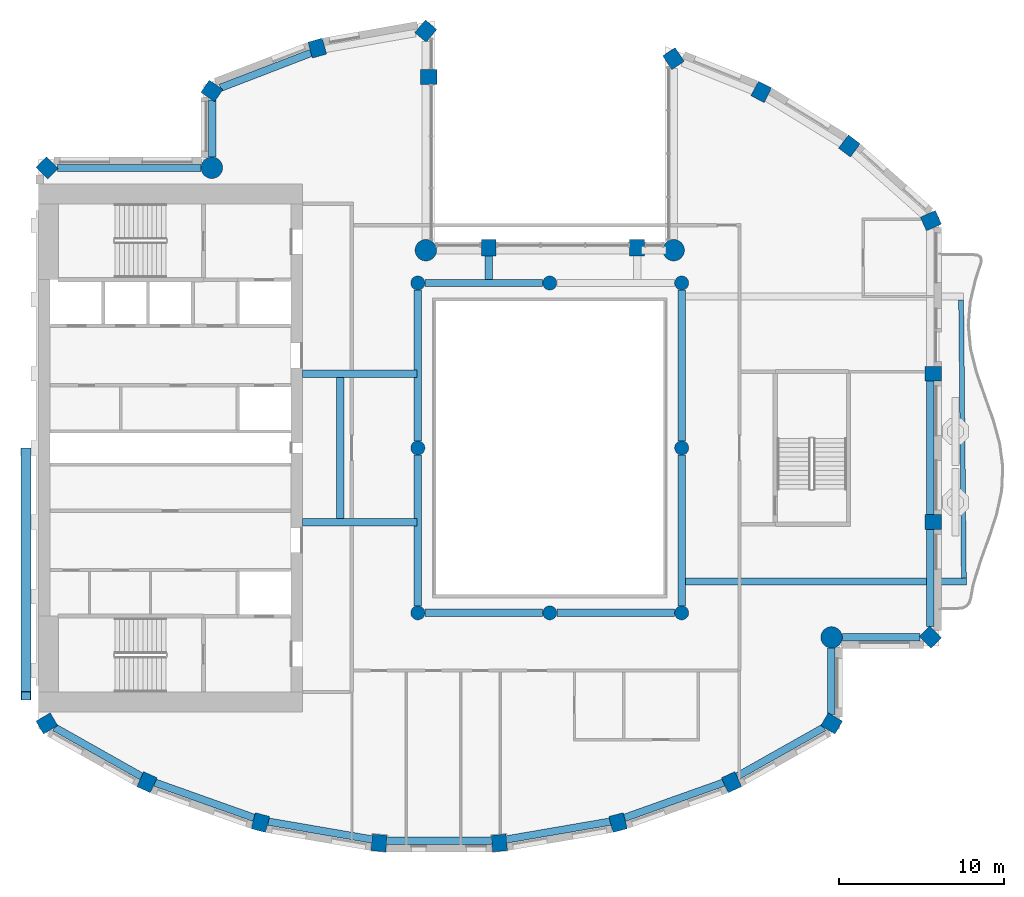
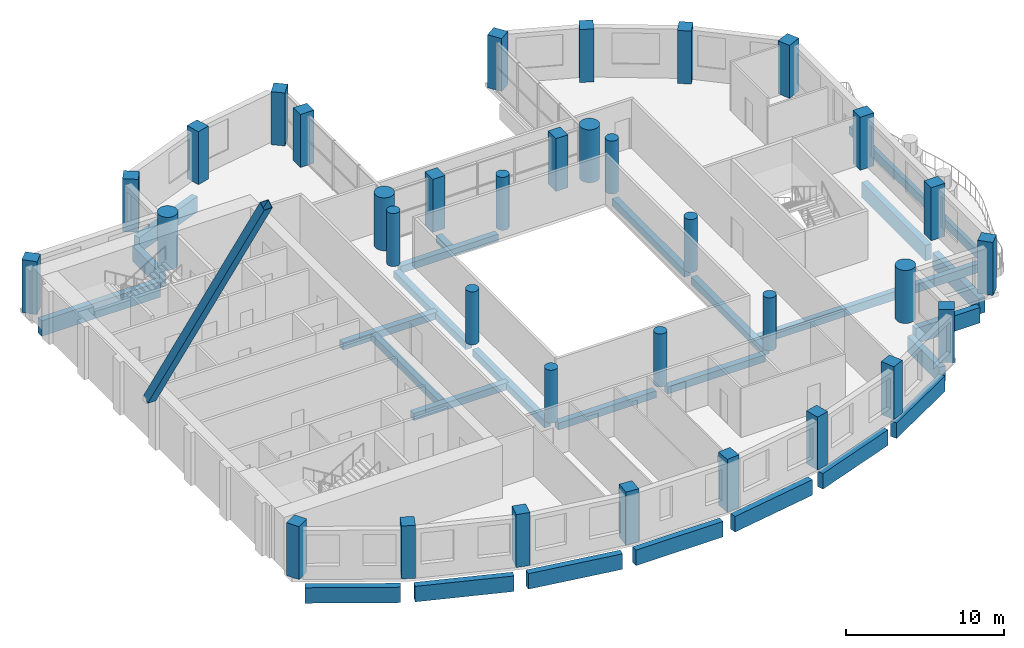
# One storey, part 1 of 15: 34 columns, 27 beams, 1 member.
"""IFC4 building model written with IfcOpenShell, lengths in metres."""

import ifcopenshell
import ifcopenshell.guid

model = None  # the IFC model being written
_history = None  # IfcOwnerHistory: only IFC2X3 demands one
_inside = {}  # id of a spatial element -> (the spatial element, [elements in it])
_under = {}  # id of a project, library or spatial element -> (it, [spatial elements below it])
_declared = {}  # id of a project -> (the project, [libraries it declares])
_typed = {}  # id of a type object -> (the type object, [elements of that type])
_made_of = {}  # id of a material, layer set ... -> (it, [elements and type objects made of it])


def new_model(schema):
    """Start an empty IFC model of exactly this schema.

    Asked for "IFC4X3", IfcOpenShell would pick the latest addendum, in which some entities
    have other attributes; the version numbers below select the first issue.
    IFC2X3 requires an IfcOwnerHistory on every rooted entity: one is made here for all.
    """
    global model, _history
    if schema == "IFC4X3":
        model = ifcopenshell.file(schema_version=(4, 3, 0, 0))
    else:
        model = ifcopenshell.file(schema=schema)
    _inside.clear()
    _under.clear()
    _declared.clear()
    _typed.clear()
    _made_of.clear()
    _history = None
    if model.schema == "IFC2X3":
        org = make("IfcOrganization", Name="unknown")
        user = make(
            "IfcPersonAndOrganization",
            ThePerson=make("IfcPerson", FamilyName="unknown"),
            TheOrganization=org,
        )
        app = make(
            "IfcApplication",
            ApplicationDeveloper=org,
            Version="unknown",
            ApplicationFullName="unknown",
            ApplicationIdentifier="unknown",
        )
        _history = make(
            "IfcOwnerHistory",
            OwningUser=user,
            OwningApplication=app,
            ChangeAction="ADDED",
            CreationDate=0,
        )
    return model


def make(cls, **values):
    """One entity of the class cls with the attributes given. An attribute that is None is left unset."""
    return model.create_entity(
        cls, **{name: value for name, value in values.items() if value is not None}
    )


def rooted(cls, **values):
    """An entity with a GlobalId (a new one), such as an element, a storey or a relation."""
    return make(cls, GlobalId=ifcopenshell.guid.new(), OwnerHistory=_history, **values)


def si_unit(unit_type, name, prefix=None):
    """IfcSIUnit, for example si_unit("LENGTHUNIT", "METRE", prefix="MILLI")."""
    return make("IfcSIUnit", UnitType=unit_type, Prefix=prefix, Name=name)


def assignment(units):
    """IfcUnitAssignment: the units of a project."""
    return None if units is None else make("IfcUnitAssignment", Units=units)


def point(xyz):
    """IfcCartesianPoint."""
    return None if xyz is None else make("IfcCartesianPoint", Coordinates=xyz)


def direction(xyz):
    """IfcDirection."""
    return None if xyz is None else make("IfcDirection", DirectionRatios=xyz)


def frame(location, z_axis=None, x_axis=None):
    """IfcAxis2Placement3D, a coordinate frame: its origin and axes. An axis left out is left unset."""
    return make(
        "IfcAxis2Placement3D",
        Location=point(location),
        Axis=direction(z_axis),
        RefDirection=direction(x_axis),
    )


def frame_2d(location, x_axis=None):
    """IfcAxis2Placement2D, a coordinate frame in the plane: its origin and x axis."""
    return make(
        "IfcAxis2Placement2D", Location=point(location), RefDirection=direction(x_axis)
    )


def origin():
    """The frame at (0, 0, 0) with its axes left unset."""
    return frame((0.0, 0.0, 0.0))


def origin_2d():
    """The frame at (0, 0) in the plane with its x axis left unset."""
    return frame_2d((0.0, 0.0))


def place(relative_to, where):
    """IfcLocalPlacement: puts the frame where relative to a parent placement (None: the world)."""
    return make(
        "IfcLocalPlacement", PlacementRelTo=relative_to, RelativePlacement=where
    )


def context(
    kind, dimensions, precision=None, world=None, true_north=None, identifier=None
):
    """IfcGeometricRepresentationContext, for example the 3D "Model" context."""
    return make(
        "IfcGeometricRepresentationContext",
        ContextIdentifier=identifier,
        ContextType=kind,
        CoordinateSpaceDimension=dimensions,
        Precision=precision,
        WorldCoordinateSystem=world,
        TrueNorth=true_north,
    )


def subcontext(parent, identifier, kind, view, scale=None):
    """IfcGeometricRepresentationSubContext, for example "Body" below "Model"."""
    return make(
        "IfcGeometricRepresentationSubContext",
        ContextIdentifier=identifier,
        ContextType=kind,
        ParentContext=parent,
        TargetScale=scale,
        TargetView=view,
    )


def project(units=None, contexts=None):
    """IfcProject with its units and contexts."""
    return rooted(
        "IfcProject",
        Name="project",
        RepresentationContexts=contexts,
        UnitsInContext=assignment(units),
    )


def spatial(cls, under=None, at=None, **own):
    """A site, building, storey or space (cls), placed at a placement, below another one or the project."""
    s = rooted(cls, ObjectPlacement=at, **own)
    if under is not None:
        _under.setdefault(under.id(), (under, []))[1].append(s)
    return s


def profile(cls, at=None, kind="AREA", **sizes):
    """A parametric profile (cls). Its sizes go by their IFC names, for example OverallWidth=200.0."""
    return make(cls, ProfileType=kind, Position=at, **sizes)


def rectangle(**sizes):
    """IfcRectangleProfileDef."""
    return profile("IfcRectangleProfileDef", **sizes)


def hollow_rectangle(**sizes):
    """IfcRectangleHollowProfileDef."""
    return profile("IfcRectangleHollowProfileDef", **sizes)


def circle(**sizes):
    """IfcCircleProfileDef."""
    return profile("IfcCircleProfileDef", **sizes)


def extrude(swept, where, along, depth):
    """IfcExtrudedAreaSolid: the profile swept, set in the frame where, extruded along a direction by depth."""
    return make(
        "IfcExtrudedAreaSolid",
        SweptArea=swept,
        Position=where,
        ExtrudedDirection=direction(along),
        Depth=depth,
    )


def shape(context_of_items, identifier, shape_type, items):
    """IfcShapeRepresentation: the items that make up one representation, for example the "Body"."""
    return make(
        "IfcShapeRepresentation",
        ContextOfItems=context_of_items,
        RepresentationIdentifier=identifier,
        RepresentationType=shape_type,
        Items=items,
    )


def material(Name=None, Category=None):
    """IfcMaterial."""
    return make("IfcMaterial", Name=Name, Category=Category)


def material_profile(
    of_material, cross_section, Name=None, Category=None, Priority=None
):
    """IfcMaterialProfile: a cross section and its material."""
    return make(
        "IfcMaterialProfile",
        Name=Name,
        Material=of_material,
        Profile=cross_section,
        Priority=Priority,
        Category=Category,
    )


def profile_set(profiles, Name=None, composite=None):
    """IfcMaterialProfileSet."""
    return make(
        "IfcMaterialProfileSet",
        Name=Name,
        MaterialProfiles=profiles,
        CompositeProfile=composite,
    )


def made_of(thing, what):
    """Note that an element or type object is made of a material, layer set ...; save() writes the relation."""
    if what is not None:
        _made_of.setdefault(what.id(), (what, []))[1].append(thing)
    return thing


def type_object(cls, material=None, **own):
    """A type object (cls), such as IfcWallType, which elements share."""
    return made_of(rooted(cls, **own), material)


def element(
    cls,
    number,
    at=None,
    inside=None,
    cuts=None,
    type_object=None,
    material=None,
    context=None,
    identifier="Body",
    shape_type=None,
    held_by="IfcProductDefinitionShape",
    body=None,
    shapes=None,
    **own,
):
    """One element of the class cls, such as IfcWall. Its Tag is "e" and its number.

    at: its placement. inside: the storey or other place that contains it. cuts: it is an
    opening in that element (IfcRelVoidsElement). A single representation is given by context,
    identifier, shape_type and body (its items); several are given by shapes. held_by: the class
    of the entity that holds the representations. save() writes the other relations.
    """
    e = rooted(cls, Tag="e%d" % number, ObjectPlacement=at, **own)
    if body is not None:
        shapes = [shape(context, identifier, shape_type, body)]
    if shapes is not None:
        e.Representation = make(held_by, Representations=shapes)
    if inside is not None:
        _inside.setdefault(inside.id(), (inside, []))[1].append(e)
    if cuts is not None:
        rooted(
            "IfcRelVoidsElement", RelatingBuildingElement=cuts, RelatedOpeningElement=e
        )
    if type_object is not None:
        _typed.setdefault(type_object.id(), (type_object, []))[1].append(e)
    return made_of(e, material)


def aggregate(whole, parts):
    """IfcRelAggregates: a whole, such as a stair, and the parts it consists of."""
    return rooted("IfcRelAggregates", RelatingObject=whole, RelatedObjects=parts)


def save(model, path):
    """Write the relations noted so far, then the file.

    IfcRelAggregates (storeys below a building ...), IfcRelContainedInSpatialStructure (elements
    in a storey), IfcRelDefinesByType, IfcRelAssociatesMaterial and IfcRelDeclares: one each for
    every whole, place, type object, material and project.
    """
    for whole, parts in _under.values():
        aggregate(whole, parts)
    for where, things in _inside.values():
        rooted(
            "IfcRelContainedInSpatialStructure",
            RelatedElements=things,
            RelatingStructure=where,
        )
    for kind, things in _typed.values():
        rooted("IfcRelDefinesByType", RelatedObjects=things, RelatingType=kind)
    for what, things in _made_of.values():
        rooted("IfcRelAssociatesMaterial", RelatedObjects=things, RelatingMaterial=what)
    for by, libraries in _declared.values():
        rooted("IfcRelDeclares", RelatingContext=by, RelatedDefinitions=libraries)
    model.write(path)


model = new_model("IFC4")

# Units and contexts
model_context = context("Model", 3, precision=1e-05, world=origin(), true_north=direction((0.0, 1.0)))
body_context = subcontext(model_context, "Body", "Model", "MODEL_VIEW")
ifc_project = project(units=[si_unit("LENGTHUNIT", "METRE"), si_unit("AREAUNIT", "SQUARE_METRE"), si_unit("VOLUMEUNIT", "CUBIC_METRE"), si_unit("PLANEANGLEUNIT", "RADIAN"), si_unit("MASSUNIT", "GRAM", prefix="KILO")], contexts=[model_context])

# Site, building, storey
site_placement = place(None, origin())
site = spatial("IfcSite", under=ifc_project, at=site_placement, CompositionType="ELEMENT")
building_placement = place(site_placement, origin())
building = spatial("IfcBuilding", under=site, at=building_placement, Name="Cypress Arch Tower", CompositionType="ELEMENT")
storey_placement = place(building_placement, frame((0.0, 0.0, 259.800048828125)))
storey = spatial("IfcBuildingStorey", under=building, at=storey_placement, Name="L58", CompositionType="ELEMENT", Elevation=259.800048828125)

# Columns
ifc_material_1 = material(Name="Concrete C60/75", Category="concrete")
ifc_material_profile_1 = material_profile(ifc_material_1, rectangle(XDim=0.89990234375, YDim=1.0, at=origin_2d()), Name="RC 900x1000")
ifc_profile_set_1 = profile_set([ifc_material_profile_1], Name="Concrete C60/75")
column_type_1 = type_object("IfcColumnType", Name="Column RC 900x1000 Concrete C60/75", PredefinedType="COLUMN", material=ifc_profile_set_1)
for number, where, z_axis, x_axis, name in (
    (1, (8.5029296875, 23.606201171875, 0.0), (0.0, 0.0, 1.0), (-0.828469606019, -0.560034027451, 0.0), "Column L58 CC00"),
    (2, (6.300048828125, 12.14990234375, 0.0), (0.0, 0.0, 1.0), (-1.0, 0.0, 0.0), "Column L58 CC02"),
    (3, (-2.699951171875, 12.14990234375, 0.0), (0.0, 0.0, 1.0), (-1.0, 0.0, 0.0), "Column L58 CC03"),
    (4, (-6.35009765625, 22.5, 0.0), (0.0, 0.0, 1.0), (0.0, 1.0, 0.0), "Column L58 CC05"),
    (5, (-6.51611328125, 25.27490234375, 0.0), (0.0, 0.0, 1.0), (-0.766063514674, 0.642764880407, 0.0), "Column L58 CC06"),
    (6, (-13.0947265625, 24.241455078125, 0.0), (0.0, 0.0, 1.0), (-0.96345574646, -0.267867550506, 0.0), "Column L58 CC07"),
    (7, (-19.483154296875, 21.645263671875, 0.0), (0.0, 0.0, 1.0), (-0.565892599589, -0.824478966215, 0.0), "Column L58 CC08"),
    (8, (-29.478271484375, 16.978271484375, 0.0), (0.0, 0.0, 1.0), (-0.707106781187, -0.707106781187, 0.0), "Column L58 CC10"),
    (9, (-29.4912109375, -16.702880859375, 0.0), (0.0, 0.0, 1.0), (0.504399289829, -0.86347053014, 0.0), "Column L58 CC11"),
    (10, (-23.4189453125, -20.266845703125, 0.0), (0.0, 0.0, 1.0), (0.909932071487, -0.414757308891, 0.0), "Column L58 CC12"),
    (11, (-16.541748046875, -22.714599609375, 0.0), (0.0, 0.0, 1.0), (0.96735573689, -0.2534223319, 0.0), "Column L58 CC13"),
    (12, (-9.346923828125, -23.95361328125, 0.0), (0.0, 0.0, 1.0), (0.996368206733, -0.085149260784, 0.0), "Column L58 CC14"),
    (13, (-2.052978515625, -23.95361328125, 0.0), (0.0, 0.0, 1.0), (0.996368206733, 0.085149260784, 0.0), "Column L58 CC15"),
    (14, (5.1416015625, -22.714599609375, 0.0), (0.0, 0.0, 1.0), (0.96735573689, 0.2534223319, 0.0), "Column L58 CC16"),
    (15, (12.01904296875, -20.266845703125, 0.0), (0.0, 0.0, 1.0), (0.909932071487, 0.414757308891, 0.0), "Column L58 CC17"),
    (16, (18.09130859375, -16.702880859375, 0.0), (0.0, 0.0, 1.0), (0.504399289829, 0.86347053014, 0.0), "Column L58 CC18"),
    (17, (24.078369140625, -11.478271484375, 0.0), (0.0, 0.0, 1.0), (0.707106781187, 0.707106781187, 0.0), "Column L58 CC20"),
    (18, (24.25, -4.5, 0.0), (0.0, 0.0, 1.0), (0.0, 1.0, 0.0), "Column L58 CC21"),
    (19, (24.25, 4.5, 0.0), (0.0, 0.0, 1.0), (0.0, 1.0, 0.0), "Column L58 CC22"),
    (20, (24.109619140625, 13.77978515625, 0.0), (0.0, 0.0, 1.0), (-0.409765058504, 0.912191096662, 0.0), "Column L58 CC23"),
    (21, (19.168212890625, 18.307861328125, 0.0), (0.0, 0.0, 1.0), (-0.802798546114, 0.596250362144, 0.0), "Column L58 CC24"),
    (22, (13.82568359375, 21.59375, 0.0), (0.0, 0.0, 1.0), (-0.893106499805, 0.44984528452, 0.0), "Column L58 CC25"),
):
    element("IfcColumn", number, at=place(storey_placement, frame(where, z_axis=z_axis, x_axis=x_axis)), inside=storey, type_object=column_type_1, Name=name, PredefinedType="COLUMN", context=body_context, shape_type="SweptSolid", body=[
        extrude(rectangle(XDim=0.89990234375, YDim=1.0, at=origin_2d()), origin(), (0.0, 0.0, 1.0), 4.099853515625),
    ])
ifc_material_2 = material(Name="Concrete C60/75", Category="concrete")
ifc_material_profile_2 = material_profile(ifc_material_2, circle(Radius=0.425048828125, at=origin_2d()), Name="RC D850")
ifc_profile_set_2 = profile_set([ifc_material_profile_2], Name="Concrete C60/75")
column_type_2 = type_object("IfcColumnType", Name="Column RC D850 Concrete C60/75", PredefinedType="COLUMN", material=ifc_profile_set_2)
for number, where, z_axis, x_axis, name in (
    (23, (-7.0, -10.0, 0.0), (0.0, 0.0, 1.0), (1.0, 0.0, 0.0), "Column L58 RNG-L58-G-7-10"),
    (24, (-7.0, 0.0, 0.0), (0.0, 0.0, 1.0), (1.0, 0.0, 0.0), "Column L58 RNG-L58-G-7+0"),
    (25, (-7.0, 10.0, 0.0), (0.0, 0.0, 1.0), (1.0, 0.0, 0.0), "Column L58 RNG-L58-G-7+10"),
    (26, (1.0, -10.0, 0.0), (0.0, 0.0, 1.0), (1.0, 0.0, 0.0), "Column L58 RNG-L58-G+1-10"),
    (27, (1.0, 10.0, 0.0), (0.0, 0.0, 1.0), (1.0, 0.0, 0.0), "Column L58 RNG-L58-G+1+10"),
    (28, (9.0, -10.0, 0.0), (0.0, 0.0, 1.0), (1.0, 0.0, 0.0), "Column L58 RNG-L58-G+9-10"),
    (29, (9.0, 0.0, 0.0), (0.0, 0.0, 1.0), (1.0, 0.0, 0.0), "Column L58 RNG-L58-G+9+0"),
    (30, (9.0, 10.0, 0.0), (0.0, 0.0, 1.0), (1.0, 0.0, 0.0), "Column L58 RNG-L58-G+9+10"),
):
    element("IfcColumn", number, at=place(storey_placement, frame(where, z_axis=z_axis, x_axis=x_axis)), inside=storey, type_object=column_type_2, Name=name, PredefinedType="COLUMN", context=body_context, shape_type="SweptSolid", body=[
        extrude(circle(Radius=0.425048828125, at=origin_2d()), origin(), (0.0, 0.0, 1.0), 4.099853515625),
    ])
ifc_material_3 = material(Name="Concrete C60/75", Category="concrete")
ifc_material_profile_3 = material_profile(ifc_material_3, circle(Radius=0.64990234375, at=origin_2d()), Name="RC D1300")
ifc_profile_set_3 = profile_set([ifc_material_profile_3], Name="Concrete C60/75")
column_type_3 = type_object("IfcColumnType", Name="Mega-column RC D1300 Concrete C60/75", PredefinedType="COLUMN", material=ifc_profile_set_3)
for number, where, z_axis, x_axis, name in (
    (31, (8.51220703125, 11.98779296875, 0.0), (0.0, 0.0, 1.0), (1.0, 0.0, 0.0), "Column L58 CC01"),
    (32, (-6.51220703125, 11.98779296875, 0.0), (0.0, 0.0, 1.0), (1.0, 0.0, 0.0), "Column L58 CC04"),
    (33, (-19.48779296875, 16.98779296875, 0.0), (0.0, 0.0, 1.0), (1.0, 0.0, 0.0), "Column L58 CC09"),
    (34, (18.087890625, -11.48779296875, 0.0), (0.0, 0.0, 1.0), (1.0, 0.0, 0.0), "Column L58 CC19"),
):
    element("IfcColumn", number, at=place(storey_placement, frame(where, z_axis=z_axis, x_axis=x_axis)), inside=storey, type_object=column_type_3, Name=name, PredefinedType="COLUMN", context=body_context, shape_type="SweptSolid", body=[
        extrude(circle(Radius=0.64990234375, at=origin_2d()), origin(), (0.0, 0.0, 1.0), 4.099853515625),
    ])

# Beams
ifc_material_4 = material(Name="Concrete C50/60", Category="concrete")
ifc_material_profile_4 = material_profile(ifc_material_4, rectangle(XDim=0.300048828125, YDim=0.64990234375, at=origin_2d()), Name="RC 300x650")
ifc_profile_set_4 = profile_set([ifc_material_profile_4], Name="Concrete C50/60")
beam_type_1 = type_object("IfcBeamType", Name="Balcony edge beam RC 300x650 Concrete C50/60", PredefinedType="BEAM", material=ifc_profile_set_4)
beam_1_placement = place(storey_placement, frame((26.107177734375, -7.89990234375, -0.625), z_axis=(-0.00974632308, 0.999952503465, 0.0), x_axis=(-0.999952503465, -0.00974632308, 0.0)))
element("IfcBeam", 35, at=beam_1_placement, inside=storey, type_object=beam_type_1, Name="Balcony edge beam L58 C17", PredefinedType="BEAM", context=body_context, shape_type="SweptSolid", body=[
    extrude(rectangle(XDim=0.300048828125, YDim=0.64990234375, at=origin_2d()), origin(), (0.0, 0.0, 1.0), 16.88330078125),
])
ifc_material_5 = material(Name="Concrete C50/60", Category="concrete")
ifc_material_profile_5 = material_profile(ifc_material_5, rectangle(XDim=0.39990234375, YDim=0.64990234375, at=origin_2d()), Name="RC 400x650")
ifc_profile_set_5 = profile_set([ifc_material_profile_5], Name="Concrete C50/60")
beam_type_2 = type_object("IfcBeamType", Name="Cantilever beam RC 400x650 Concrete C50/60", PredefinedType="BEAM", material=ifc_profile_set_5)
beam_2_placement = place(storey_placement, frame((9.22509765625, -8.10009765625, -0.625), z_axis=(1.0, 0.0, 0.0), x_axis=(0.0, 1.0, 0.0)))
element("IfcBeam", 36, at=beam_2_placement, inside=storey, type_object=beam_type_2, Name="Cantilever beam L58 C17 1", PredefinedType="BEAM", context=body_context, shape_type="SweptSolid", body=[
    extrude(rectangle(XDim=0.39990234375, YDim=0.64990234375, at=origin_2d()), origin(), (0.0, 0.0, 1.0), 17.031982421875),
])
ifc_material_6 = material(Name="Concrete C50/60", Category="concrete")
ifc_material_profile_6 = material_profile(ifc_material_6, rectangle(XDim=0.449951171875, YDim=0.550048828125, at=origin_2d()), Name="RC 450x550")
ifc_profile_set_6 = profile_set([ifc_material_profile_6], Name="Concrete C50/60")
beam_type_3 = type_object("IfcBeamType", Name="Floor beam RC 450x550 Concrete C50/60", PredefinedType="BEAM", material=ifc_profile_set_6)
for number, where, z_axis, x_axis, name in (
    (37, (-7.0, -9.574951171875, -0.574951171875), (0.0, 1.0, 0.0), (-1.0, 0.0, 0.0), "Floor beam L58 RB001"),
    (38, (-7.0, 0.425048828125, -0.574951171875), (0.0, 1.0, 0.0), (-1.0, 0.0, 0.0), "Floor beam L58 RB002"),
    (39, (9.0, -9.574951171875, -0.574951171875), (0.0, 1.0, 0.0), (-1.0, 0.0, 0.0), "Floor beam L58 RB003"),
    (40, (9.0, 0.425048828125, -0.574951171875), (0.0, 1.0, 0.0), (-1.0, 0.0, 0.0), "Floor beam L58 RB004"),
):
    element("IfcBeam", number, at=place(storey_placement, frame(where, z_axis=z_axis, x_axis=x_axis)), inside=storey, type_object=beam_type_3, Name=name, PredefinedType="BEAM", context=body_context, shape_type="SweptSolid", body=[
        extrude(rectangle(XDim=0.449951171875, YDim=0.550048828125, at=origin_2d()), origin(), (0.0, 0.0, 1.0), 9.14990234375),
    ])
for number, where, z_axis, x_axis, name in (
    (41, (-6.574951171875, -10.0, -0.574951171875), (1.0, 0.0, 0.0), (0.0, 1.0, 0.0), "Floor beam L58 RB005"),
    (42, (1.425048828125, -10.0, -0.574951171875), (1.0, 0.0, 0.0), (0.0, 1.0, 0.0), "Floor beam L58 RB006"),
    (43, (-6.574951171875, 10.0, -0.574951171875), (1.0, 0.0, 0.0), (0.0, 1.0, 0.0), "Floor beam L58 RB007"),
):
    element("IfcBeam", number, at=place(storey_placement, frame(where, z_axis=z_axis, x_axis=x_axis)), inside=storey, type_object=beam_type_3, Name=name, PredefinedType="BEAM", context=body_context, shape_type="SweptSolid", body=[
        extrude(rectangle(XDim=0.449951171875, YDim=0.550048828125, at=origin_2d()), origin(), (0.0, 0.0, 1.0), 7.14990234375),
    ])
for number, where, z_axis, x_axis, name in (
    (44, (-14.0, -4.5, -0.574951171875), (1.0, 0.0, 0.0), (0.0, 1.0, 0.0), "Floor beam L58 FB009"),
    (45, (-14.0, 4.5, -0.574951171875), (1.0, 0.0, 0.0), (0.0, 1.0, 0.0), "Floor beam L58 FB010"),
):
    element("IfcBeam", number, at=place(storey_placement, frame(where, z_axis=z_axis, x_axis=x_axis)), inside=storey, type_object=beam_type_3, Name=name, PredefinedType="BEAM", context=body_context, shape_type="SweptSolid", body=[
        extrude(rectangle(XDim=0.449951171875, YDim=0.550048828125, at=origin_2d()), origin(), (0.0, 0.0, 1.0), 6.949951171875),
    ])
beam_3_placement = place(storey_placement, frame((-11.699951171875, -4.27490234375, -0.574951171875), z_axis=(0.0, 1.0, 0.0), x_axis=(-1.0, 0.0, 0.0)))
element("IfcBeam", 46, at=beam_3_placement, inside=storey, type_object=beam_type_3, Name="Floor beam L58 FB011", PredefinedType="BEAM", context=body_context, shape_type="SweptSolid", body=[
    extrude(rectangle(XDim=0.449951171875, YDim=0.550048828125, at=origin_2d()), origin(), (0.0, 0.0, 1.0), 8.5498046875),
])
beam_4_placement = place(storey_placement, frame((-2.699951171875, 10.22509765625, -0.574951171875), z_axis=(0.0, 1.0, 0.0), x_axis=(-1.0, 0.0, 0.0)))
element("IfcBeam", 47, at=beam_4_placement, inside=storey, type_object=beam_type_3, Name="Floor beam L58 FB012", PredefinedType="BEAM", context=body_context, shape_type="SweptSolid", body=[
    extrude(rectangle(XDim=0.449951171875, YDim=0.550048828125, at=origin_2d()), origin(), (0.0, 0.0, 1.0), 1.4248046875),
])
ifc_material_7 = material(Name="Concrete C50/60", Category="concrete")
ifc_material_profile_7 = material_profile(ifc_material_7, rectangle(XDim=0.449951171875, YDim=1.199951171875, at=origin_2d()), Name="RC 450x1200")
ifc_profile_set_7 = profile_set([ifc_material_profile_7], Name="Concrete C50/60")
beam_type_4 = type_object("IfcBeamType", Name="Spandrel beam RC 450x1200 Concrete C50/60", PredefinedType="SPANDREL", material=ifc_profile_set_7)
beam_5_placement = place(storey_placement, frame((-13.48046875, 23.94921875, -1.550048828125), z_axis=(-0.933138853319, -0.359516175472, 0.0), x_axis=(0.359516175472, -0.933138853319, 0.0)))
element("IfcBeam", 48, at=beam_5_placement, inside=storey, type_object=beam_type_4, Name="Spandrel beam L58 BC04-0", PredefinedType="SPANDREL", context=body_context, shape_type="SweptSolid", body=[
    extrude(rectangle(XDim=0.449951171875, YDim=1.199951171875, at=origin_2d()), origin(), (0.0, 0.0, 1.0), 5.878173828125),
])
beam_6_placement = place(storey_placement, frame((-19.47509765625, 21.09375, -1.550048828125), z_axis=(0.0, -1.0, 0.0), x_axis=(1.0, 0.0, 0.0)))
element("IfcBeam", 49, at=beam_6_placement, inside=storey, type_object=beam_type_4, Name="Spandrel beam L58 BC05-0", PredefinedType="SPANDREL", context=body_context, shape_type="SweptSolid", body=[
    extrude(rectangle(XDim=0.449951171875, YDim=1.199951171875, at=origin_2d()), origin(), (0.0, 0.0, 1.0), 3.456298828125),
])
beam_7_placement = place(storey_placement, frame((-20.137451171875, 16.97509765625, -1.550048828125), z_axis=(-1.0, 0.0, 0.0), x_axis=(0.0, -1.0, 0.0)))
element("IfcBeam", 50, at=beam_7_placement, inside=storey, type_object=beam_type_4, Name="Spandrel beam L58 BC06-0", PredefinedType="SPANDREL", context=body_context, shape_type="SweptSolid", body=[
    extrude(rectangle(XDim=0.449951171875, YDim=1.199951171875, at=origin_2d()), origin(), (0.0, 0.0, 1.0), 8.701171875),
])
beam_8_placement = place(storey_placement, frame((-29.02099609375, -16.94921875, -1.550048828125), z_axis=(0.871059543975, -0.491177433165, 0.0), x_axis=(0.491177433165, 0.871059543975, 0.0)))
element("IfcBeam", 51, at=beam_8_placement, inside=storey, type_object=beam_type_4, Name="Spandrel beam L58 BC08-0", PredefinedType="SPANDREL", context=body_context, shape_type="SweptSolid", body=[
    extrude(rectangle(XDim=0.449951171875, YDim=1.199951171875, at=origin_2d()), origin(), (0.0, 0.0, 1.0), 6.045654296875),
])
beam_9_placement = place(storey_placement, frame((-22.93603515625, -20.2919921875, -1.550048828125), z_axis=(0.942120065582, -0.33527568064, 0.0), x_axis=(0.33527568064, 0.942120065582, 0.0)))
element("IfcBeam", 52, at=beam_9_placement, inside=storey, type_object=beam_type_4, Name="Spandrel beam L58 BC09-0", PredefinedType="SPANDREL", context=body_context, shape_type="SweptSolid", body=[
    extrude(rectangle(XDim=0.449951171875, YDim=1.199951171875, at=origin_2d()), origin(), (0.0, 0.0, 1.0), 6.373046875),
])
beam_10_placement = place(storey_placement, frame((-16.061279296875, -22.656982421875, -1.550048828125), z_axis=(0.985502990778, -0.169658053646, 0.0), x_axis=(0.169658053646, 0.985502990778, 0.0)))
element("IfcBeam", 53, at=beam_10_placement, inside=storey, type_object=beam_type_4, Name="Spandrel beam L58 BC10-0", PredefinedType="SPANDREL", context=body_context, shape_type="SweptSolid", body=[
    extrude(rectangle(XDim=0.449951171875, YDim=1.199951171875, at=origin_2d()), origin(), (0.0, 0.0, 1.0), 6.373291015625),
])
beam_11_placement = place(storey_placement, frame((-8.883544921875, -23.81494140625, -1.550048828125), z_axis=(1.0, 0.0, 0.0), x_axis=(0.0, 1.0, 0.0)))
element("IfcBeam", 54, at=beam_11_placement, inside=storey, type_object=beam_type_4, Name="Spandrel beam L58 BC11-0", PredefinedType="SPANDREL", context=body_context, shape_type="SweptSolid", body=[
    extrude(rectangle(XDim=0.449951171875, YDim=1.199951171875, at=origin_2d()), origin(), (0.0, 0.0, 1.0), 6.366943359375),
])
beam_12_placement = place(storey_placement, frame((-1.619873046875, -23.73828125, -1.550048828125), z_axis=(0.985504093315, 0.169651649149, 0.0), x_axis=(-0.169651649149, 0.985504093315, 0.0)))
element("IfcBeam", 55, at=beam_12_placement, inside=storey, type_object=beam_type_4, Name="Spandrel beam L58 BC12-0", PredefinedType="SPANDREL", context=body_context, shape_type="SweptSolid", body=[
    extrude(rectangle(XDim=0.449951171875, YDim=1.199951171875, at=origin_2d()), origin(), (0.0, 0.0, 1.0), 6.37353515625),
])
beam_13_placement = place(storey_placement, frame((5.531982421875, -22.4287109375, -1.550048828125), z_axis=(0.942115759102, 0.335287781541, 0.0), x_axis=(-0.335287781541, 0.942115759102, 0.0)))
element("IfcBeam", 56, at=beam_13_placement, inside=storey, type_object=beam_type_4, Name="Spandrel beam L58 BC13-0", PredefinedType="SPANDREL", context=body_context, shape_type="SweptSolid", body=[
    extrude(rectangle(XDim=0.449951171875, YDim=1.199951171875, at=origin_2d()), origin(), (0.0, 0.0, 1.0), 6.372802734375),
])
beam_14_placement = place(storey_placement, frame((12.35498046875, -19.918701171875, -1.550048828125), z_axis=(0.871059543975, 0.491177433165, 0.0), x_axis=(-0.491177433165, 0.871059543975, 0.0)))
element("IfcBeam", 57, at=beam_14_placement, inside=storey, type_object=beam_type_4, Name="Spandrel beam L58 BC14-0", PredefinedType="SPANDREL", context=body_context, shape_type="SweptSolid", body=[
    extrude(rectangle(XDim=0.449951171875, YDim=1.199951171875, at=origin_2d()), origin(), (0.0, 0.0, 1.0), 6.045654296875),
])
beam_15_placement = place(storey_placement, frame((18.074951171875, -16.172119140625, -1.550048828125), z_axis=(0.0, 1.0, 0.0), x_axis=(-1.0, 0.0, 0.0)))
element("IfcBeam", 58, at=beam_15_placement, inside=storey, type_object=beam_type_4, Name="Spandrel beam L58 BC15-0", PredefinedType="SPANDREL", context=body_context, shape_type="SweptSolid", body=[
    extrude(rectangle(XDim=0.449951171875, YDim=1.199951171875, at=origin_2d()), origin(), (0.0, 0.0, 1.0), 4.03466796875),
])
beam_16_placement = place(storey_placement, frame((18.737548828125, -11.47509765625, -1.550048828125), z_axis=(1.0, 0.0, 0.0), x_axis=(0.0, 1.0, 0.0)))
element("IfcBeam", 59, at=beam_16_placement, inside=storey, type_object=beam_type_4, Name="Spandrel beam L58 BC16-0", PredefinedType="SPANDREL", context=body_context, shape_type="SweptSolid", body=[
    extrude(rectangle(XDim=0.449951171875, YDim=1.199951171875, at=origin_2d()), origin(), (0.0, 0.0, 1.0), 4.701171875),
])
beam_17_placement = place(storey_placement, frame((24.074951171875, -10.838623046875, -1.550048828125), z_axis=(0.0, 1.0, 0.0), x_axis=(-1.0, 0.0, 0.0)))
element("IfcBeam", 60, at=beam_17_placement, inside=storey, type_object=beam_type_4, Name="Spandrel beam L58 BC17-0", PredefinedType="SPANDREL", context=body_context, shape_type="SweptSolid", body=[
    extrude(rectangle(XDim=0.449951171875, YDim=1.199951171875, at=origin_2d()), origin(), (0.0, 0.0, 1.0), 5.888671875),
])
beam_18_placement = place(storey_placement, frame((24.074951171875, -4.050048828125, -1.550048828125), z_axis=(0.0, 1.0, 0.0), x_axis=(-1.0, 0.0, 0.0)))
element("IfcBeam", 61, at=beam_18_placement, inside=storey, type_object=beam_type_4, Name="Spandrel beam L58 BC17-1", PredefinedType="SPANDREL", context=body_context, shape_type="SweptSolid", body=[
    extrude(rectangle(XDim=0.449951171875, YDim=1.199951171875, at=origin_2d()), origin(), (0.0, 0.0, 1.0), 8.10009765625),
])

# Member
ifc_material_8 = material(Name="Steel ASTM A501 Grade B", Category="steel")
ifc_material_profile_8 = material_profile(ifc_material_8, hollow_rectangle(XDim=0.609619140625, YDim=0.609619140625, WallThickness=0.023681640625, at=origin_2d()), Name="HSS 24x24x1")
ifc_profile_set_8 = profile_set([ifc_material_profile_8], Name="Steel ASTM A501 Grade B")
member_type = type_object("IfcMemberType", Name="West bracing diagonal HSS 24x24x1 Steel ASTM A501 Grade B", PredefinedType="BRACE", material=ifc_profile_set_8)
member_placement = place(storey_placement, frame((-30.7548828125, -15.036376953125, 27.9765625), z_axis=(0.0, 0.525771361786, -0.850625931374), x_axis=(-1.0, 0.0, 0.0)))
element("IfcMember", 62, at=member_placement, inside=storey, type_object=member_type, Name="West bracing diagonal 5B", PredefinedType="BRACE", context=body_context, shape_type="SweptSolid", body=[
    extrude(hollow_rectangle(XDim=0.609619140625, YDim=0.609619140625, WallThickness=0.023681640625, at=origin_2d()), origin(), (0.0, 0.0, 1.0), 28.10595703125),
])

save(model, "model.ifc")
